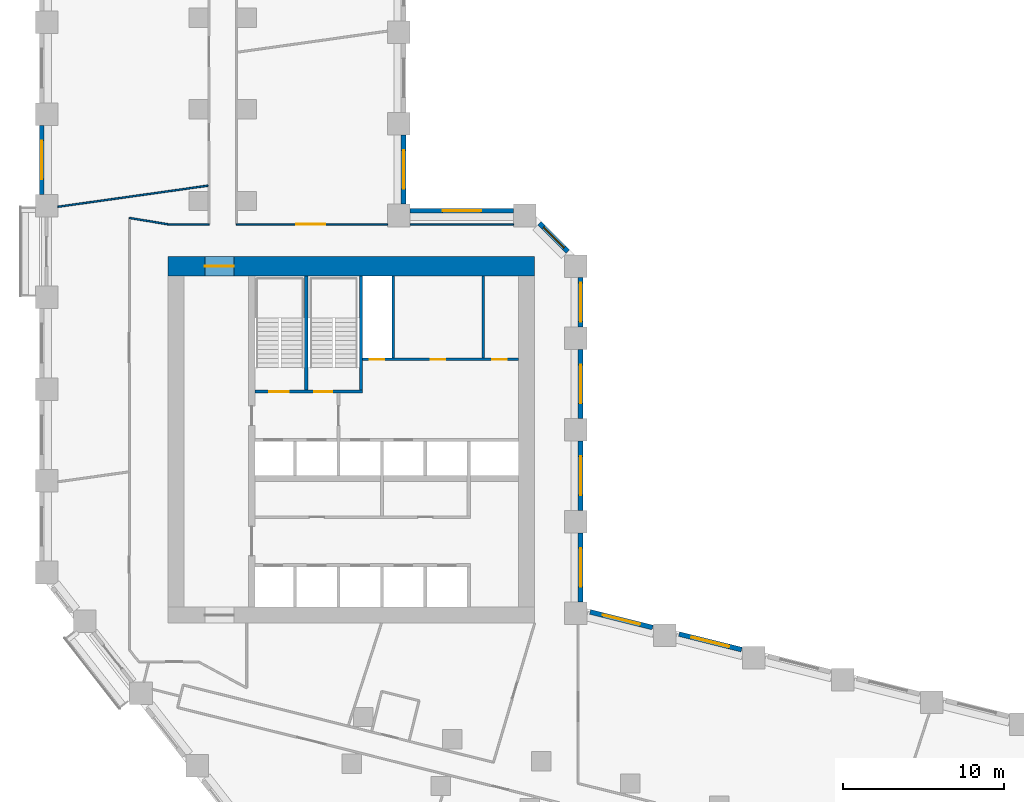
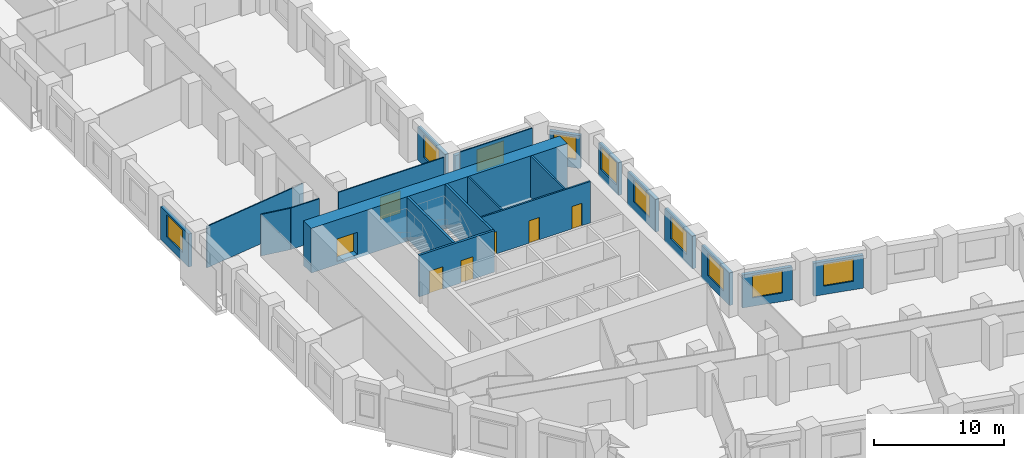
# One storey, part 6 of 12: 22 walls, 10 windows, 7 doors, 17 openings.
"""IFC4 building model written with IfcOpenShell, lengths in metres."""

from ifc_helpers import new_model, si_unit, direction, frame, frame_2d, origin, place, context, subcontext, project, spatial, rectangle, extrude, material, layer, layer_set, type_object, element, fill, save


model = new_model("IFC4")

# Units and contexts
model_context = context("Model", 3, precision=1e-05, world=origin(), true_north=direction((0.0, 1.0)))
body_context = subcontext(model_context, "Body", "Model", "MODEL_VIEW")
ifc_project = project(units=[si_unit("LENGTHUNIT", "METRE"), si_unit("AREAUNIT", "SQUARE_METRE"), si_unit("VOLUMEUNIT", "CUBIC_METRE"), si_unit("PLANEANGLEUNIT", "RADIAN"), si_unit("MASSUNIT", "GRAM", prefix="KILO")], contexts=[model_context])

# Site, building, storey
site_placement = place(None, origin())
site = spatial("IfcSite", under=ifc_project, at=site_placement, CompositionType="ELEMENT")
building_placement = place(site_placement, origin())
building = spatial("IfcBuilding", under=site, at=building_placement, Name="Meshkara Civic Tower", CompositionType="ELEMENT")
storey_placement = place(building_placement, frame((0.0, 0.0, 62.39990234375)))
storey = spatial("IfcBuildingStorey", under=building, at=storey_placement, Name="L13", CompositionType="ELEMENT", Elevation=62.39990234375)

# Wall, openings, doors
ifc_material_1 = material(Name="Blockwork", Category="masonry")
ifc_layer_1 = layer(ifc_material_1, 0.14990234375)
ifc_layer_set_1 = layer_set([ifc_layer_1], Name="Core partition 150")
wall_type_1 = type_object("IfcWallType", Name="Core partition 150", PredefinedType="PARTITIONING", material=ifc_layer_set_1)
wall_1_placement = place(storey_placement, frame((20.10009765625, 30.5, 0.0), z_axis=(0.0, 0.0, 1.0), x_axis=(1.0, 0.0, 0.0)))
wall_1 = element("IfcWall", 1, at=wall_1_placement, inside=storey, type_object=wall_type_1, Name="L13-C010", PredefinedType="PARTITIONING", context=body_context, shape_type="SweptSolid", body=[
    extrude(rectangle(XDim=9.699951171875, YDim=0.14990234375, at=frame_2d((4.85009765625, 0.0))), origin(), (0.0, 0.0, 1.0), 3.900146484375),
])
opening_1_placement = place(wall_1_placement, frame((0.449951171875, 0.0, 0.0)))
opening_1 = element("IfcOpeningElement", 2, at=opening_1_placement, cuts=wall_1, Name="Opening L13-K012", PredefinedType="OPENING", context=body_context, shape_type="SweptSolid", body=[
    extrude(rectangle(XDim=0.89990234375, YDim=2.10009765625, at=frame_2d((0.449951171875, 1.050048828125))), frame((0.0, 0.0849609375, 0.0), z_axis=(0.0, -1.0, 0.0), x_axis=(1.0, 0.0, 0.0)), (0.0, 0.0, 1.0), 0.169921875),
])
opening_2_placement = place(wall_1_placement, frame((4.25, 0.0, 0.0)))
opening_2 = element("IfcOpeningElement", 3, at=opening_2_placement, cuts=wall_1, Name="Opening L13-K013", PredefinedType="OPENING", context=body_context, shape_type="SweptSolid", body=[
    extrude(rectangle(XDim=0.89990234375, YDim=2.10009765625, at=frame_2d((0.449951171875, 1.050048828125))), frame((0.0, 0.0849609375, 0.0), z_axis=(0.0, -1.0, 0.0), x_axis=(1.0, 0.0, 0.0)), (0.0, 0.0, 1.0), 0.169921875),
])
opening_3_placement = place(wall_1_placement, frame((8.050048828125, 0.0, 0.0)))
opening_3 = element("IfcOpeningElement", 4, at=opening_3_placement, cuts=wall_1, Name="Opening L13-K014", PredefinedType="OPENING", context=body_context, shape_type="SweptSolid", body=[
    extrude(rectangle(XDim=0.89990234375, YDim=2.10009765625, at=frame_2d((0.449951171875, 1.050048828125))), frame((0.0, 0.0849609375, 0.0), z_axis=(0.0, -1.0, 0.0), x_axis=(1.0, 0.0, 0.0)), (0.0, 0.0, 1.0), 0.169921875),
])
ifc_material_2 = material(Name="Timber door leaf in steel frame", Category="steel")
door_type_1 = type_object("IfcDoorType", Name="Core room door 900", OperationType="SINGLE_SWING_LEFT", PredefinedType="DOOR", material=ifc_material_2)
door_1_placement = place(opening_2_placement, origin())
door_1 = element("IfcDoor", 5, at=door_1_placement, inside=storey, type_object=door_type_1, Name="L13-K013", OperationType="SINGLE_SWING_RIGHT", OverallHeight=2.10009765625, OverallWidth=0.89990234375, PredefinedType="DOOR", context=body_context, shape_type="SweptSolid", body=[
    extrude(rectangle(XDim=0.89990234375, YDim=2.10009765625, at=frame_2d((0.449951171875, 1.050048828125))), frame((0.0, 0.02490234375, 0.0), z_axis=(0.0, -1.0, 0.0), x_axis=(1.0, 0.0, 0.0)), (0.0, 0.0, 1.0), 0.050048828125),
])
fill(opening_2, door_1)
door_2_placement = place(opening_3_placement, origin())
door_2 = element("IfcDoor", 6, at=door_2_placement, inside=storey, type_object=door_type_1, Name="L13-K014", OperationType="SINGLE_SWING_RIGHT", OverallHeight=2.10009765625, OverallWidth=0.89990234375, PredefinedType="DOOR", context=body_context, shape_type="SweptSolid", body=[
    extrude(rectangle(XDim=0.89990234375, YDim=2.10009765625, at=frame_2d((0.449951171875, 1.050048828125))), frame((0.0, 0.02490234375, 0.0), z_axis=(0.0, -1.0, 0.0), x_axis=(1.0, 0.0, 0.0)), (0.0, 0.0, 1.0), 0.050048828125),
])
fill(opening_3, door_2)
ifc_material_3 = material(Name="Fire-rated door leaf in steel frame", Category="steel")
door_type_2 = type_object("IfcDoorType", Name="Riser door 900", OperationType="SINGLE_SWING_LEFT", PredefinedType="DOOR", material=ifc_material_3)
door_3_placement = place(opening_1_placement, origin())
door_3 = element("IfcDoor", 7, at=door_3_placement, inside=storey, type_object=door_type_2, Name="L13-K012", OperationType="SINGLE_SWING_RIGHT", OverallHeight=2.10009765625, OverallWidth=0.89990234375, PredefinedType="DOOR", context=body_context, shape_type="SweptSolid", body=[
    extrude(rectangle(XDim=0.89990234375, YDim=2.10009765625, at=frame_2d((0.449951171875, 1.050048828125))), frame((0.0, 0.02490234375, 0.0), z_axis=(0.0, -1.0, 0.0), x_axis=(1.0, 0.0, 0.0)), (0.0, 0.0, 1.0), 0.050048828125),
])
fill(opening_1, door_3)

# Walls
for number, where, z_axis, x_axis, name in (
    (8, (22.0, 30.574951171875, 0.0), (0.0, 0.0, 1.0), (0.0, 1.0, 0.0), "L13-C020"),
    (9, (27.60009765625, 30.574951171875, 0.0), (0.0, 0.0, 1.0), (0.0, 1.0, 0.0), "L13-C025"),
):
    element("IfcWall", number, at=place(storey_placement, frame(where, z_axis=z_axis, x_axis=x_axis)), inside=storey, type_object=wall_type_1, Name=name, PredefinedType="PARTITIONING", context=body_context, shape_type="SweptSolid", body=[
        extrude(rectangle(XDim=5.125, YDim=0.14990234375, at=frame_2d((2.5625, 0.0))), origin(), (0.0, 0.0, 1.0), 3.900146484375),
    ])

# Wall, opening, door
ifc_material_4 = material(Name="Concrete C80", Category="concrete")
ifc_layer_2 = layer(ifc_material_4, 1.199951171875)
ifc_layer_set_2 = layer_set([ifc_layer_2], Name="Core ring wall 1200 C80")
wall_type_2 = type_object("IfcWallType", Name="Core ring wall 1200 C80", PredefinedType="SHEAR", material=ifc_layer_set_2)
wall_2_placement = place(storey_placement, frame((8.0, 36.300048828125, -0.2998046875), z_axis=(0.0, 0.0, 1.0), x_axis=(1.0, 0.0, 0.0)))
wall_2 = element("IfcWall", 10, at=wall_2_placement, inside=storey, type_object=wall_type_2, Name="L13-C002", PredefinedType="SHEAR", context=body_context, shape_type="SweptSolid", body=[
    extrude(rectangle(XDim=22.800048828125, YDim=1.199951171875, at=frame_2d((11.39990234375, 0.0))), origin(), (0.0, 0.0, 1.0), 4.199951171875),
])
opening_4_placement = place(wall_2_placement, frame((2.300048828125, 0.0, 0.300048828125)))
opening_4 = element("IfcOpeningElement", 11, at=opening_4_placement, cuts=wall_2, Name="Opening L13-K020", PredefinedType="OPENING", context=body_context, shape_type="SweptSolid", body=[
    extrude(rectangle(XDim=1.800048828125, YDim=2.10009765625, at=frame_2d((0.89990234375, 1.050048828125))), frame((0.0, 0.60986328125, 0.0), z_axis=(0.0, -1.0, 0.0), x_axis=(1.0, 0.0, 0.0)), (0.0, 0.0, 1.0), 1.219970703125),
])
ifc_material_5 = material(Name="Fire-rated door leaf in steel frame", Category="steel")
door_type_3 = type_object("IfcDoorType", Name="Core double door 1800 EI 60", OperationType="DOUBLE_DOOR_SINGLE_SWING", PredefinedType="DOOR", material=ifc_material_5)
door_4_placement = place(opening_4_placement, origin())
door_4 = element("IfcDoor", 12, at=door_4_placement, inside=storey, type_object=door_type_3, Name="L13-K020", OperationType="DOUBLE_DOOR_SINGLE_SWING", OverallHeight=2.10009765625, OverallWidth=1.800048828125, PredefinedType="DOOR", context=body_context, shape_type="SweptSolid", body=[
    extrude(rectangle(XDim=1.800048828125, YDim=2.10009765625, at=frame_2d((0.89990234375, 1.050048828125))), frame((0.0, 0.02490234375, 0.0), z_axis=(0.0, -1.0, 0.0), x_axis=(1.0, 0.0, 0.0)), (0.0, 0.0, 1.0), 0.050048828125),
])
fill(opening_4, door_4)

# Walls
ifc_material_6 = material(Name="Corridor wall 100")
ifc_layer_3 = layer(ifc_material_6, 0.10009765625)
ifc_layer_set_3 = layer_set([ifc_layer_3], Name="Corridor wall 100")
wall_type_3 = type_object("IfcWallType", Name="Corridor wall 100", PredefinedType="PARTITIONING", material=ifc_layer_set_3)
wall_3_placement = place(storey_placement, frame((8.0, 38.89990234375, 0.0), z_axis=(0.0, 0.0, 1.0), x_axis=(-0.986383073668, 0.16446407505, 0.0)))
element("IfcWall", 13, at=wall_3_placement, inside=storey, type_object=wall_type_3, Name="L13-W007", PredefinedType="PARTITIONING", context=body_context, shape_type="SweptSolid", body=[
    extrude(rectangle(XDim=2.43310546875, YDim=0.10009765625, at=frame_2d((1.216552734375, 0.0))), origin(), (0.0, 0.0, 1.0), 3.900146484375),
])
wall_4_placement = place(storey_placement, frame((10.550048828125, 38.89990234375, 0.0), z_axis=(0.0, 0.0, 1.0), x_axis=(-1.0, 0.0, 0.0)))
element("IfcWall", 14, at=wall_4_placement, inside=storey, type_object=wall_type_3, Name="L13-W012", PredefinedType="PARTITIONING", context=body_context, shape_type="SweptSolid", body=[
    extrude(rectangle(XDim=2.550048828125, YDim=0.10009765625, at=frame_2d((1.27490234375, 0.0))), origin(), (0.0, 0.0, 1.0), 3.900146484375),
])

# Wall, opening, door
wall_5_placement = place(storey_placement, frame((21.64990234375, 38.89990234375, 0.0), z_axis=(0.0, 0.0, 1.0), x_axis=(-1.0, 0.0, 0.0)))
wall_5 = element("IfcWall", 15, at=wall_5_placement, inside=storey, type_object=wall_type_3, Name="L13-W019", PredefinedType="PARTITIONING", context=body_context, shape_type="SweptSolid", body=[
    extrude(rectangle(XDim=9.39990234375, YDim=0.10009765625, at=frame_2d((4.699951171875, 0.0))), origin(), (0.0, 0.0, 1.0), 3.900146484375),
])
opening_5_placement = place(wall_5_placement, frame((3.8798828125, 0.0, 0.0)))
opening_5 = element("IfcOpeningElement", 16, at=opening_5_placement, cuts=wall_5, Name="Opening L13-D019", PredefinedType="OPENING", context=body_context, shape_type="SweptSolid", body=[
    extrude(rectangle(XDim=1.800048828125, YDim=2.10009765625, at=frame_2d((0.89990234375, 1.050048828125))), frame((0.0, 0.06005859375, 0.0), z_axis=(0.0, -1.0, 0.0), x_axis=(1.0, 0.0, 0.0)), (0.0, 0.0, 1.0), 0.1201171875),
])
ifc_material_7 = material(Name="Door pair 1800 x 2100")
door_type_4 = type_object("IfcDoorType", Name="Door pair 1800 x 2100", OperationType="SINGLE_SWING_LEFT", PredefinedType="DOOR", material=ifc_material_7)
door_5_placement = place(opening_5_placement, origin())
door_5 = element("IfcDoor", 17, at=door_5_placement, inside=storey, type_object=door_type_4, Name="L13-D019", OperationType="DOUBLE_DOOR_SINGLE_SWING", OverallHeight=2.10009765625, OverallWidth=1.800048828125, PredefinedType="DOOR", context=body_context, shape_type="SweptSolid", body=[
    extrude(rectangle(XDim=1.800048828125, YDim=2.10009765625, at=frame_2d((0.89990234375, 1.050048828125))), frame((0.0, 0.02490234375, 0.0), z_axis=(0.0, -1.0, 0.0), x_axis=(1.0, 0.0, 0.0)), (0.0, 0.0, 1.0), 0.050048828125),
])
fill(opening_5, door_5)

# Wall
wall_6_placement = place(storey_placement, frame((29.493896484375, 38.89990234375, 0.0), z_axis=(0.0, 0.0, 1.0), x_axis=(-1.0, 0.0, 0.0)))
element("IfcWall", 18, at=wall_6_placement, inside=storey, type_object=wall_type_3, Name="L13-W020", PredefinedType="PARTITIONING", context=body_context, shape_type="SweptSolid", body=[
    extrude(rectangle(XDim=6.44384765625, YDim=0.10009765625, at=frame_2d((3.221923828125, 0.0))), origin(), (0.0, 0.0, 1.0), 3.900146484375),
])

# Wall, opening, window
ifc_material_8 = material(Name="Insulated infill panel with bronze anodised aluminium cladding", Category="aluminium")
ifc_layer_4 = layer(ifc_material_8, 0.300048828125)
ifc_layer_set_4 = layer_set([ifc_layer_4], Name="EXTERNAL INFILL WALL 300")
wall_type_4 = type_object("IfcWallType", Name="EXTERNAL INFILL WALL 300", PredefinedType="SOLIDWALL", material=ifc_layer_set_4)
wall_7_placement = place(storey_placement, frame((43.659912109375, 12.4580078125, 0.0), z_axis=(0.0, 0.0, 1.0), x_axis=(-0.970300202301, 0.241903942538, 0.0)))
wall_7 = element("IfcWall", 19, at=wall_7_placement, inside=storey, type_object=wall_type_4, Name="External wall", PredefinedType="SOLIDWALL", context=body_context, shape_type="SweptSolid", body=[
    extrude(rectangle(XDim=4.001708984375, YDim=0.300048828125, at=frame_2d((2.0009765625, 0.0))), origin(), (0.0, 0.0, 1.0), 3.10009765625),
])
opening_6_placement = place(wall_7_placement, frame((0.801025390625, 0.0, 0.800048828125)))
opening_6 = element("IfcOpeningElement", 20, at=opening_6_placement, cuts=wall_7, Name="Opening W7", PredefinedType="OPENING", context=body_context, shape_type="SweptSolid", body=[
    extrude(rectangle(XDim=2.39990234375, YDim=2.10009765625, at=frame_2d((1.199951171875, 1.050048828125))), frame((0.0, 0.159912109375, 0.0), z_axis=(0.0, -1.0, 0.0), x_axis=(1.0, 0.0, 0.0)), (0.0, 0.0, 1.0), 0.320068359375),
])
ifc_material_9 = material(Name="Tinted double glazing", Category="glass")
window_type_1 = type_object("IfcWindowType", Name="WINDOW 2400x2100", PartitioningType="DOUBLE_PANEL_VERTICAL", PredefinedType="WINDOW", material=ifc_material_9)
window_1_placement = place(opening_6_placement, origin())
window_1 = element("IfcWindow", 21, at=window_1_placement, inside=storey, type_object=window_type_1, Name="Window", OverallHeight=2.10009765625, OverallWidth=2.39990234375, PartitioningType="DOUBLE_PANEL_VERTICAL", PredefinedType="WINDOW", context=body_context, shape_type="SweptSolid", body=[
    extrude(rectangle(XDim=2.39990234375, YDim=2.10009765625, at=frame_2d((1.199951171875, 1.050048828125))), frame((0.0, 0.030029296875, 0.0), z_axis=(0.0, -1.0, 0.0), x_axis=(1.0, 0.0, 0.0)), (0.0, 0.0, 1.0), 0.06005859375),
])
fill(opening_6, window_1)

wall_8_placement = place(storey_placement, frame((38.1298828125, 13.8369140625, 0.0), z_axis=(0.0, 0.0, 1.0), x_axis=(-0.970314477803, 0.241846674911, 0.0)))
wall_8 = element("IfcWall", 22, at=wall_8_placement, inside=storey, type_object=wall_type_4, Name="External wall", PredefinedType="SOLIDWALL", context=body_context, shape_type="SweptSolid", body=[
    extrude(rectangle(XDim=4.002685546875, YDim=0.300048828125, at=frame_2d((2.00146484375, 0.0))), origin(), (0.0, 0.0, 1.0), 3.10009765625),
])
opening_7_placement = place(wall_8_placement, frame((0.802001953125, 0.0, 0.800048828125)))
opening_7 = element("IfcOpeningElement", 23, at=opening_7_placement, cuts=wall_8, Name="Opening W7", PredefinedType="OPENING", context=body_context, shape_type="SweptSolid", body=[
    extrude(rectangle(XDim=2.39990234375, YDim=2.10009765625, at=frame_2d((1.199951171875, 1.050048828125))), frame((0.0, 0.159912109375, 0.0), z_axis=(0.0, -1.0, 0.0), x_axis=(1.0, 0.0, 0.0)), (0.0, 0.0, 1.0), 0.320068359375),
])
window_2_placement = place(opening_7_placement, origin())
window_2 = element("IfcWindow", 24, at=window_2_placement, inside=storey, type_object=window_type_1, Name="Window", OverallHeight=2.10009765625, OverallWidth=2.39990234375, PartitioningType="DOUBLE_PANEL_VERTICAL", PredefinedType="WINDOW", context=body_context, shape_type="SweptSolid", body=[
    extrude(rectangle(XDim=2.39990234375, YDim=2.10009765625, at=frame_2d((1.199951171875, 1.050048828125))), frame((0.0, 0.030029296875, 0.0), z_axis=(0.0, -1.0, 0.0), x_axis=(1.0, 0.0, 0.0)), (0.0, 0.0, 1.0), 0.06005859375),
])
fill(opening_7, window_2)

wall_9_placement = place(storey_placement, frame((33.64990234375, 15.4189453125, 0.0), z_axis=(0.0, 0.0, 1.0), x_axis=(0.0, 1.0, 0.0)))
wall_9 = element("IfcWall", 25, at=wall_9_placement, inside=storey, type_object=wall_type_4, Name="External wall", PredefinedType="SOLIDWALL", context=body_context, shape_type="SweptSolid", body=[
    extrude(rectangle(XDim=4.300048828125, YDim=0.300048828125, at=frame_2d((2.14990234375, 0.0))), origin(), (0.0, 0.0, 1.0), 3.10009765625),
])
opening_8_placement = place(wall_9_placement, frame((0.949951171875, 0.0, 0.800048828125)))
opening_8 = element("IfcOpeningElement", 26, at=opening_8_placement, cuts=wall_9, Name="Opening W7", PredefinedType="OPENING", context=body_context, shape_type="SweptSolid", body=[
    extrude(rectangle(XDim=2.39990234375, YDim=2.10009765625, at=frame_2d((1.199951171875, 1.050048828125))), frame((0.0, 0.159912109375, 0.0), z_axis=(0.0, -1.0, 0.0), x_axis=(1.0, 0.0, 0.0)), (0.0, 0.0, 1.0), 0.320068359375),
])
window_3_placement = place(opening_8_placement, origin())
window_3 = element("IfcWindow", 27, at=window_3_placement, inside=storey, type_object=window_type_1, Name="Window", OverallHeight=2.10009765625, OverallWidth=2.39990234375, PartitioningType="DOUBLE_PANEL_VERTICAL", PredefinedType="WINDOW", context=body_context, shape_type="SweptSolid", body=[
    extrude(rectangle(XDim=2.39990234375, YDim=2.10009765625, at=frame_2d((1.199951171875, 1.050048828125))), frame((0.0, 0.030029296875, 0.0), z_axis=(0.0, -1.0, 0.0), x_axis=(1.0, 0.0, 0.0)), (0.0, 0.0, 1.0), 0.06005859375),
])
fill(opening_8, window_3)

wall_10_placement = place(storey_placement, frame((33.64990234375, 21.118896484375, 0.0), z_axis=(0.0, 0.0, 1.0), x_axis=(0.0, 1.0, 0.0)))
wall_10 = element("IfcWall", 28, at=wall_10_placement, inside=storey, type_object=wall_type_4, Name="External wall", PredefinedType="SOLIDWALL", context=body_context, shape_type="SweptSolid", body=[
    extrude(rectangle(XDim=4.300048828125, YDim=0.300048828125, at=frame_2d((2.14990234375, 0.0))), origin(), (0.0, 0.0, 1.0), 3.10009765625),
])
opening_9_placement = place(wall_10_placement, frame((0.949951171875, 0.0, 0.800048828125)))
opening_9 = element("IfcOpeningElement", 29, at=opening_9_placement, cuts=wall_10, Name="Opening W7", PredefinedType="OPENING", context=body_context, shape_type="SweptSolid", body=[
    extrude(rectangle(XDim=2.39990234375, YDim=2.10009765625, at=frame_2d((1.199951171875, 1.050048828125))), frame((0.0, 0.159912109375, 0.0), z_axis=(0.0, -1.0, 0.0), x_axis=(1.0, 0.0, 0.0)), (0.0, 0.0, 1.0), 0.320068359375),
])
window_4_placement = place(opening_9_placement, origin())
window_4 = element("IfcWindow", 30, at=window_4_placement, inside=storey, type_object=window_type_1, Name="Window", OverallHeight=2.10009765625, OverallWidth=2.39990234375, PartitioningType="DOUBLE_PANEL_VERTICAL", PredefinedType="WINDOW", context=body_context, shape_type="SweptSolid", body=[
    extrude(rectangle(XDim=2.39990234375, YDim=2.10009765625, at=frame_2d((1.199951171875, 1.050048828125))), frame((0.0, 0.030029296875, 0.0), z_axis=(0.0, -1.0, 0.0), x_axis=(1.0, 0.0, 0.0)), (0.0, 0.0, 1.0), 0.06005859375),
])
fill(opening_9, window_4)

wall_11_placement = place(storey_placement, frame((33.64990234375, 26.819091796875, 0.0), z_axis=(0.0, 0.0, 1.0), x_axis=(0.0, 1.0, 0.0)))
wall_11 = element("IfcWall", 31, at=wall_11_placement, inside=storey, type_object=wall_type_4, Name="External wall", PredefinedType="SOLIDWALL", context=body_context, shape_type="SweptSolid", body=[
    extrude(rectangle(XDim=4.2998046875, YDim=0.300048828125, at=frame_2d((2.14990234375, 0.0))), origin(), (0.0, 0.0, 1.0), 3.10009765625),
])
opening_10_placement = place(wall_11_placement, frame((0.949951171875, 0.0, 0.800048828125)))
opening_10 = element("IfcOpeningElement", 32, at=opening_10_placement, cuts=wall_11, Name="Opening W7", PredefinedType="OPENING", context=body_context, shape_type="SweptSolid", body=[
    extrude(rectangle(XDim=2.39990234375, YDim=2.10009765625, at=frame_2d((1.199951171875, 1.050048828125))), frame((0.0, 0.159912109375, 0.0), z_axis=(0.0, -1.0, 0.0), x_axis=(1.0, 0.0, 0.0)), (0.0, 0.0, 1.0), 0.320068359375),
])
window_5_placement = place(opening_10_placement, origin())
window_5 = element("IfcWindow", 33, at=window_5_placement, inside=storey, type_object=window_type_1, Name="Window", OverallHeight=2.10009765625, OverallWidth=2.39990234375, PartitioningType="DOUBLE_PANEL_VERTICAL", PredefinedType="WINDOW", context=body_context, shape_type="SweptSolid", body=[
    extrude(rectangle(XDim=2.39990234375, YDim=2.10009765625, at=frame_2d((1.199951171875, 1.050048828125))), frame((0.0, 0.030029296875, 0.0), z_axis=(0.0, -1.0, 0.0), x_axis=(1.0, 0.0, 0.0)), (0.0, 0.0, 1.0), 0.06005859375),
])
fill(opening_10, window_5)

wall_12_placement = place(storey_placement, frame((33.64990234375, 32.51904296875, 0.0), z_axis=(0.0, 0.0, 1.0), x_axis=(0.0, 1.0, 0.0)))
wall_12 = element("IfcWall", 34, at=wall_12_placement, inside=storey, type_object=wall_type_4, Name="External wall", PredefinedType="SOLIDWALL", context=body_context, shape_type="SweptSolid", body=[
    extrude(rectangle(XDim=3.074951171875, YDim=0.300048828125, at=frame_2d((1.53759765625, 0.0))), origin(), (0.0, 0.0, 1.0), 3.10009765625),
])
opening_11_placement = place(wall_12_placement, frame((0.337890625, 0.0, 0.800048828125)))
opening_11 = element("IfcOpeningElement", 35, at=opening_11_placement, cuts=wall_12, Name="Opening W7", PredefinedType="OPENING", context=body_context, shape_type="SweptSolid", body=[
    extrude(rectangle(XDim=2.39990234375, YDim=2.10009765625, at=frame_2d((1.199951171875, 1.050048828125))), frame((0.0, 0.159912109375, 0.0), z_axis=(0.0, -1.0, 0.0), x_axis=(1.0, 0.0, 0.0)), (0.0, 0.0, 1.0), 0.320068359375),
])
window_6_placement = place(opening_11_placement, origin())
window_6 = element("IfcWindow", 36, at=window_6_placement, inside=storey, type_object=window_type_1, Name="Window", OverallHeight=2.10009765625, OverallWidth=2.39990234375, PartitioningType="DOUBLE_PANEL_VERTICAL", PredefinedType="WINDOW", context=body_context, shape_type="SweptSolid", body=[
    extrude(rectangle(XDim=2.39990234375, YDim=2.10009765625, at=frame_2d((1.199951171875, 1.050048828125))), frame((0.0, 0.030029296875, 0.0), z_axis=(0.0, -1.0, 0.0), x_axis=(1.0, 0.0, 0.0)), (0.0, 0.0, 1.0), 0.06005859375),
])
fill(opening_11, window_6)

wall_13_placement = place(storey_placement, frame((32.862060546875, 37.2060546875, 0.0), z_axis=(0.0, 0.0, 1.0), x_axis=(-0.707155935319, 0.707057623637, 0.0)))
wall_13 = element("IfcWall", 37, at=wall_13_placement, inside=storey, type_object=wall_type_4, Name="External wall", PredefinedType="SOLIDWALL", context=body_context, shape_type="SweptSolid", body=[
    extrude(rectangle(XDim=2.4833984375, YDim=0.300048828125, at=frame_2d((1.24169921875, 0.0))), origin(), (0.0, 0.0, 1.0), 3.10009765625),
])
opening_12_placement = place(wall_13_placement, frame((0.342041015625, 0.0, 0.800048828125)))
opening_12 = element("IfcOpeningElement", 38, at=opening_12_placement, cuts=wall_13, Name="Opening W9", PredefinedType="OPENING", context=body_context, shape_type="SweptSolid", body=[
    extrude(rectangle(XDim=1.800048828125, YDim=2.10009765625, at=frame_2d((0.89990234375, 1.050048828125))), frame((0.0, 0.159912109375, 0.0), z_axis=(0.0, -1.0, 0.0), x_axis=(1.0, 0.0, 0.0)), (0.0, 0.0, 1.0), 0.320068359375),
])
ifc_material_10 = material(Name="Tinted double glazing", Category="glass")
window_type_2 = type_object("IfcWindowType", Name="WINDOW 1800x2100", PartitioningType="DOUBLE_PANEL_VERTICAL", PredefinedType="WINDOW", material=ifc_material_10)
window_7_placement = place(opening_12_placement, origin())
window_7 = element("IfcWindow", 39, at=window_7_placement, inside=storey, type_object=window_type_2, Name="Window", OverallHeight=2.10009765625, OverallWidth=1.800048828125, PartitioningType="DOUBLE_PANEL_VERTICAL", PredefinedType="WINDOW", context=body_context, shape_type="SweptSolid", body=[
    extrude(rectangle(XDim=1.800048828125, YDim=2.10009765625, at=frame_2d((0.89990234375, 1.050048828125))), frame((0.0, 0.030029296875, 0.0), z_axis=(0.0, -1.0, 0.0), x_axis=(1.0, 0.0, 0.0)), (0.0, 0.0, 1.0), 0.06005859375),
])
fill(opening_12, window_7)

wall_14_placement = place(storey_placement, frame((29.493896484375, 39.75, 0.0), z_axis=(0.0, 0.0, 1.0), x_axis=(-1.0, 0.0, 0.0)))
wall_14 = element("IfcWall", 40, at=wall_14_placement, inside=storey, type_object=wall_type_4, Name="External wall", PredefinedType="SOLIDWALL", context=body_context, shape_type="SweptSolid", body=[
    extrude(rectangle(XDim=6.44384765625, YDim=0.300048828125, at=frame_2d((3.221923828125, 0.0))), origin(), (0.0, 0.0, 1.0), 3.10009765625),
])
opening_13_placement = place(wall_14_placement, frame((2.02197265625, 0.0, 0.800048828125)))
opening_13 = element("IfcOpeningElement", 41, at=opening_13_placement, cuts=wall_14, Name="Opening W7", PredefinedType="OPENING", context=body_context, shape_type="SweptSolid", body=[
    extrude(rectangle(XDim=2.39990234375, YDim=2.10009765625, at=frame_2d((1.199951171875, 1.050048828125))), frame((0.0, 0.159912109375, 0.0), z_axis=(0.0, -1.0, 0.0), x_axis=(1.0, 0.0, 0.0)), (0.0, 0.0, 1.0), 0.320068359375),
])
window_8_placement = place(opening_13_placement, origin())
window_8 = element("IfcWindow", 42, at=window_8_placement, inside=storey, type_object=window_type_1, Name="Window", OverallHeight=2.10009765625, OverallWidth=2.39990234375, PartitioningType="DOUBLE_PANEL_VERTICAL", PredefinedType="WINDOW", context=body_context, shape_type="SweptSolid", body=[
    extrude(rectangle(XDim=2.39990234375, YDim=2.10009765625, at=frame_2d((1.199951171875, 1.050048828125))), frame((0.0, 0.030029296875, 0.0), z_axis=(0.0, -1.0, 0.0), x_axis=(1.0, 0.0, 0.0)), (0.0, 0.0, 1.0), 0.06005859375),
])
fill(opening_13, window_8)

wall_15_placement = place(storey_placement, frame((22.64990234375, 40.14990234375, 0.0), z_axis=(0.0, 0.0, 1.0), x_axis=(0.0, 1.0, 0.0)))
wall_15 = element("IfcWall", 43, at=wall_15_placement, inside=storey, type_object=wall_type_4, Name="External wall", PredefinedType="SOLIDWALL", context=body_context, shape_type="SweptSolid", body=[
    extrude(rectangle(XDim=4.300048828125, YDim=0.300048828125, at=frame_2d((2.14990234375, 0.0))), origin(), (0.0, 0.0, 1.0), 3.10009765625),
])
opening_14_placement = place(wall_15_placement, frame((0.949951171875, 0.0, 0.800048828125)))
opening_14 = element("IfcOpeningElement", 44, at=opening_14_placement, cuts=wall_15, Name="Opening W7", PredefinedType="OPENING", context=body_context, shape_type="SweptSolid", body=[
    extrude(rectangle(XDim=2.39990234375, YDim=2.10009765625, at=frame_2d((1.199951171875, 1.050048828125))), frame((0.0, 0.159912109375, 0.0), z_axis=(0.0, -1.0, 0.0), x_axis=(1.0, 0.0, 0.0)), (0.0, 0.0, 1.0), 0.320068359375),
])
window_9_placement = place(opening_14_placement, origin())
window_9 = element("IfcWindow", 45, at=window_9_placement, inside=storey, type_object=window_type_1, Name="Window", OverallHeight=2.10009765625, OverallWidth=2.39990234375, PartitioningType="DOUBLE_PANEL_VERTICAL", PredefinedType="WINDOW", context=body_context, shape_type="SweptSolid", body=[
    extrude(rectangle(XDim=2.39990234375, YDim=2.10009765625, at=frame_2d((1.199951171875, 1.050048828125))), frame((0.0, 0.030029296875, 0.0), z_axis=(0.0, -1.0, 0.0), x_axis=(1.0, 0.0, 0.0)), (0.0, 0.0, 1.0), 0.06005859375),
])
fill(opening_14, window_9)

wall_16_placement = place(storey_placement, frame((0.14990234375, 45.054931640625, 0.0), z_axis=(0.0, 0.0, 1.0), x_axis=(0.0, -1.0, 0.0)))
wall_16 = element("IfcWall", 46, at=wall_16_placement, inside=storey, type_object=wall_type_4, Name="External wall", PredefinedType="SOLIDWALL", context=body_context, shape_type="SweptSolid", body=[
    extrude(rectangle(XDim=4.300048828125, YDim=0.300048828125, at=frame_2d((2.14990234375, 0.0))), origin(), (0.0, 0.0, 1.0), 3.10009765625),
])
opening_15_placement = place(wall_16_placement, frame((0.949951171875, 0.0, 0.800048828125)))
opening_15 = element("IfcOpeningElement", 47, at=opening_15_placement, cuts=wall_16, Name="Opening W7", PredefinedType="OPENING", context=body_context, shape_type="SweptSolid", body=[
    extrude(rectangle(XDim=2.39990234375, YDim=2.10009765625, at=frame_2d((1.199951171875, 1.050048828125))), frame((0.0, 0.159912109375, 0.0), z_axis=(0.0, -1.0, 0.0), x_axis=(1.0, 0.0, 0.0)), (0.0, 0.0, 1.0), 0.320068359375),
])
window_10_placement = place(opening_15_placement, origin())
window_10 = element("IfcWindow", 48, at=window_10_placement, inside=storey, type_object=window_type_1, Name="Window", OverallHeight=2.10009765625, OverallWidth=2.39990234375, PartitioningType="DOUBLE_PANEL_VERTICAL", PredefinedType="WINDOW", context=body_context, shape_type="SweptSolid", body=[
    extrude(rectangle(XDim=2.39990234375, YDim=2.10009765625, at=frame_2d((1.199951171875, 1.050048828125))), frame((0.0, 0.030029296875, 0.0), z_axis=(0.0, -1.0, 0.0), x_axis=(1.0, 0.0, 0.0)), (0.0, 0.0, 1.0), 0.06005859375),
])
fill(opening_15, window_10)

# Wall
ifc_material_11 = material(Name="Partition 100")
ifc_layer_5 = layer(ifc_material_11, 0.10009765625)
ifc_layer_set_5 = layer_set([ifc_layer_5], Name="Partition 100")
wall_type_5 = type_object("IfcWallType", Name="Partition 100", PredefinedType="PARTITIONING", material=ifc_layer_set_5)
wall_17_placement = place(storey_placement, frame((10.492919921875, 41.304931640625, 0.0), z_axis=(0.0, 0.0, 1.0), x_axis=(-0.990255073415, -0.139265536207, 0.0)))
element("IfcWall", 49, at=wall_17_placement, inside=storey, type_object=wall_type_5, Name="L13-W037", PredefinedType="PARTITIONING", context=body_context, shape_type="SweptSolid", body=[
    extrude(rectangle(XDim=9.43505859375, YDim=0.10009765625, at=frame_2d((4.717529296875, 0.0))), origin(), (0.0, 0.0, 1.0), 3.900146484375),
])

# Wall, openings, doors
ifc_material_12 = material(Name="Concrete C40/50", Category="concrete")
ifc_layer_6 = layer(ifc_material_12, 0.199951171875)
ifc_layer_set_6 = layer_set([ifc_layer_6], Name="Stair enclosure wall 200 C40/50")
wall_type_6 = type_object("IfcWallType", Name="Stair enclosure wall 200 C40/50", PredefinedType="SOLIDWALL", material=ifc_layer_set_6)
wall_18_placement = place(storey_placement, frame((13.39990234375, 28.5, 0.0), z_axis=(0.0, 0.0, 1.0), x_axis=(1.0, 0.0, 0.0)))
wall_18 = element("IfcWall", 50, at=wall_18_placement, inside=storey, type_object=wall_type_6, Name="L13-C009", PredefinedType="SOLIDWALL", context=body_context, shape_type="SweptSolid", body=[
    extrude(rectangle(XDim=6.7001953125, YDim=0.199951171875, at=frame_2d((3.35009765625, 0.0))), origin(), (0.0, 0.0, 1.0), 3.900146484375),
])
opening_16_placement = place(wall_18_placement, frame((0.89990234375, 0.0, 0.0)))
opening_16 = element("IfcOpeningElement", 51, at=opening_16_placement, cuts=wall_18, Name="Opening L13-K015", PredefinedType="OPENING", context=body_context, shape_type="SweptSolid", body=[
    extrude(rectangle(XDim=1.199951171875, YDim=2.10009765625, at=frame_2d((0.60009765625, 1.050048828125))), frame((0.0, 0.10986328125, 0.0), z_axis=(0.0, -1.0, 0.0), x_axis=(1.0, 0.0, 0.0)), (0.0, 0.0, 1.0), 0.219970703125),
])
opening_17_placement = place(wall_18_placement, frame((3.699951171875, 0.0, 0.0)))
opening_17 = element("IfcOpeningElement", 52, at=opening_17_placement, cuts=wall_18, Name="Opening L13-K016", PredefinedType="OPENING", context=body_context, shape_type="SweptSolid", body=[
    extrude(rectangle(XDim=1.10009765625, YDim=2.10009765625, at=frame_2d((0.550048828125, 1.050048828125))), frame((0.0, 0.10986328125, 0.0), z_axis=(0.0, -1.0, 0.0), x_axis=(1.0, 0.0, 0.0)), (0.0, 0.0, 1.0), 0.219970703125),
])
ifc_material_13 = material(Name="Fire-rated door leaf in steel frame", Category="steel")
door_type_5 = type_object("IfcDoorType", Name="Stair door 1100 EI 120", OperationType="SINGLE_SWING_LEFT", PredefinedType="DOOR", material=ifc_material_13)
door_6_placement = place(opening_17_placement, origin())
door_6 = element("IfcDoor", 53, at=door_6_placement, inside=storey, type_object=door_type_5, Name="L13-K016", OperationType="SINGLE_SWING_LEFT", OverallHeight=2.10009765625, OverallWidth=1.10009765625, PredefinedType="DOOR", context=body_context, shape_type="SweptSolid", body=[
    extrude(rectangle(XDim=1.10009765625, YDim=2.10009765625, at=frame_2d((0.550048828125, 1.050048828125))), frame((0.0, 0.02490234375, 0.0), z_axis=(0.0, -1.0, 0.0), x_axis=(1.0, 0.0, 0.0)), (0.0, 0.0, 1.0), 0.050048828125),
])
fill(opening_17, door_6)
ifc_material_14 = material(Name="Fire-rated door leaf in steel frame", Category="steel")
door_type_6 = type_object("IfcDoorType", Name="Stair door 1200 EI 120", OperationType="SINGLE_SWING_LEFT", PredefinedType="DOOR", material=ifc_material_14)
door_7_placement = place(opening_16_placement, origin())
door_7 = element("IfcDoor", 54, at=door_7_placement, inside=storey, type_object=door_type_6, Name="L13-K015", OperationType="SINGLE_SWING_RIGHT", OverallHeight=2.10009765625, OverallWidth=1.199951171875, PredefinedType="DOOR", context=body_context, shape_type="SweptSolid", body=[
    extrude(rectangle(XDim=1.199951171875, YDim=2.10009765625, at=frame_2d((0.60009765625, 1.050048828125))), frame((0.0, 0.02490234375, 0.0), z_axis=(0.0, -1.0, 0.0), x_axis=(1.0, 0.0, 0.0)), (0.0, 0.0, 1.0), 0.050048828125),
])
fill(opening_16, door_7)

# Walls
for number, where, z_axis, x_axis, name in (
    (55, (16.60009765625, 28.60009765625, 0.0), (0.0, 0.0, 1.0), (0.0, 1.0, 0.0), "L13-C014"),
    (56, (20.0, 28.60009765625, 0.0), (0.0, 0.0, 1.0), (0.0, 1.0, 0.0), "L13-C017"),
):
    element("IfcWall", number, at=place(storey_placement, frame(where, z_axis=z_axis, x_axis=x_axis)), inside=storey, type_object=wall_type_6, Name=name, PredefinedType="SOLIDWALL", context=body_context, shape_type="SweptSolid", body=[
        extrude(rectangle(XDim=7.099853515625, YDim=0.199951171875, at=frame_2d((3.5498046875, 0.0))), origin(), (0.0, 0.0, 1.0), 3.900146484375),
    ])

save(model, "model.ifc")
